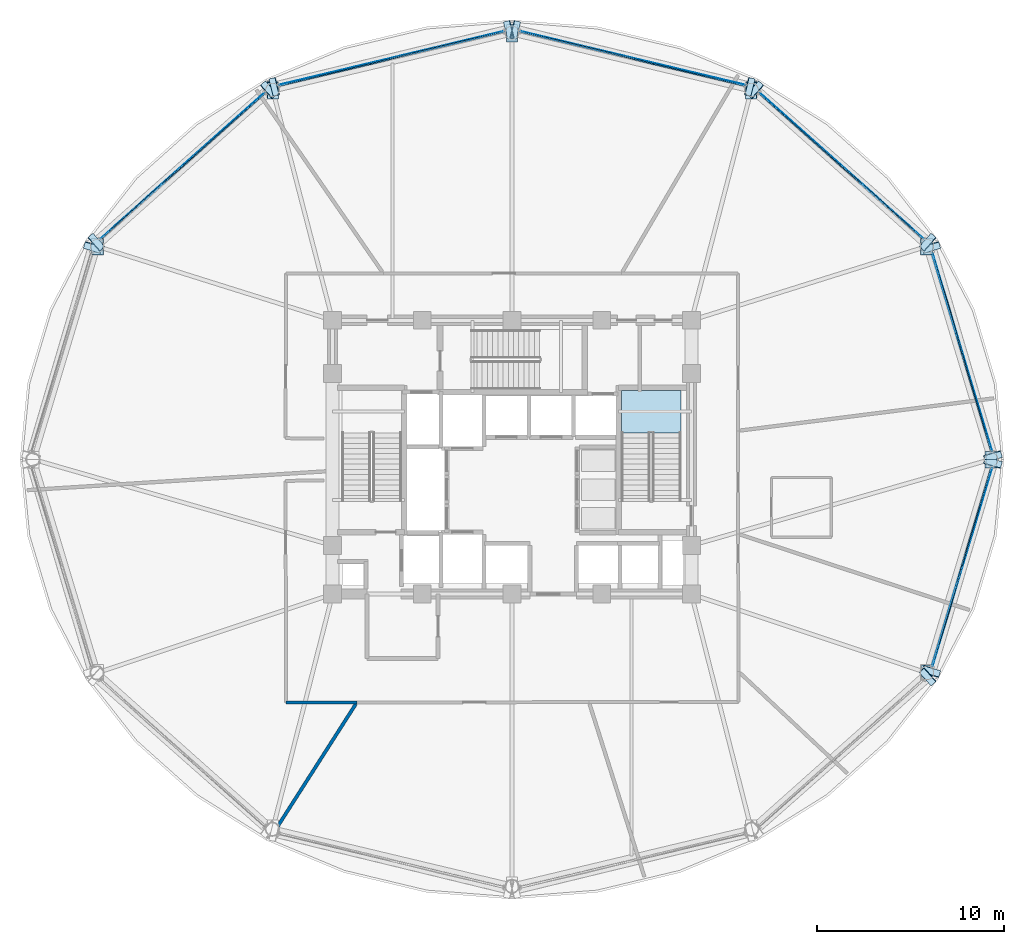
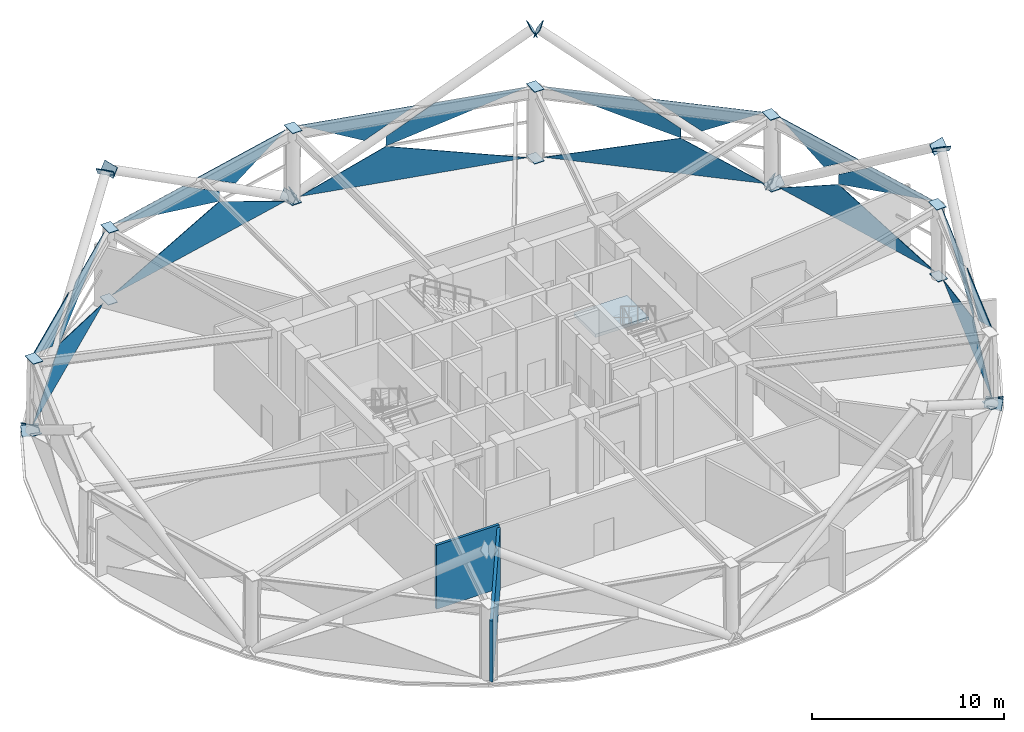
# One storey, part 9 of 17: 45 plates, 2 walls, 1 slab, 7 elements without a shape of their own.
"""IFC4 building model written with IfcOpenShell, lengths in metres."""

from ifc_helpers import new_model, si_unit, direction, frame, frame_2d, origin, place, context, subcontext, project, spatial, polyline, rectangle, outline, extrude, material, layer, layer_set, type_object, element, aggregate, save


model = new_model("IFC4")

# Units and contexts
model_context = context("Model", 3, precision=1e-05, world=origin(), true_north=direction((0.0, 1.0)))
body_context = subcontext(model_context, "Body", "Model", "MODEL_VIEW")
ifc_project = project(units=[si_unit("LENGTHUNIT", "METRE"), si_unit("AREAUNIT", "SQUARE_METRE"), si_unit("VOLUMEUNIT", "CUBIC_METRE"), si_unit("PLANEANGLEUNIT", "RADIAN"), si_unit("MASSUNIT", "GRAM", prefix="KILO")], contexts=[model_context])

# Site, building, storey
site_placement = place(None, origin())
site = spatial("IfcSite", under=ifc_project, at=site_placement, CompositionType="ELEMENT")
building_placement = place(site_placement, origin())
building = spatial("IfcBuilding", under=site, at=building_placement, Name="Vantalir Tower", CompositionType="ELEMENT")
storey_placement = place(building_placement, frame((0.0, 0.0, 96.14990234375)))
storey = spatial("IfcBuildingStorey", under=building, at=storey_placement, Name="L23", CompositionType="ELEMENT", Elevation=96.14990234375)

# Curtain wall, plates
ifc_material_1 = material(Name="Champagne-silver PVDF aluminium and double-silver Low-E glass", Category="aluminium")
ifc_layer_1 = layer(ifc_material_1, 0.22998046875)
ifc_layer_set_1 = layer_set([ifc_layer_1], Name="Champagne-silver PVDF aluminium and double-silver Low-E glass")
curtain_wall_type = type_object("IfcCurtainWallType", Name="CW-SKYLOBBY", PredefinedType="USERDEFINED", material=ifc_layer_set_1)
curtain_wall_1_placement = place(storey_placement, origin())
curtain_wall_1 = element("IfcCurtainWall", 1, at=curtain_wall_1_placement, inside=storey, type_object=curtain_wall_type, Name="L23 Quilted Pyramid-Diamond Curtain Wall S01", ObjectType="UNITISED CURTAIN WALL", PredefinedType="USERDEFINED")
ifc_material_2 = material(Name="High-clarity sky-lobby Low-E glass IGU", Category="glass")
ifc_layer_2 = layer(ifc_material_2, 0.035888671875)
ifc_layer_set_2 = layer_set([ifc_layer_2], Name="High-clarity sky-lobby Low-E glass IGU")
plate_type_1 = type_object("IfcPlateType", Name="CWP-IGU-LIGHT-36", PredefinedType="CURTAIN_PANEL", material=ifc_layer_set_2)
plate_1_placement = place(storey_placement, frame((57.208984375, 25.435546875, 0.046875), z_axis=(0.957661740651, 0.287884851578, 0.002510522934), x_axis=(-0.287885864149, 0.957664725931, 4.3928567e-05)))
plate_1 = element("IfcPlate", 2, at=plate_1_placement, type_object=plate_type_1, Name="CW-L23-S01 Pyramid Diamond Facet 1L", PredefinedType="CURTAIN_PANEL", context=body_context, shape_type="SweptSolid", body=[
    extrude(outline(polyline([(0.0, 0.0), (11.115346636864656, -8.673617379884035e-19), (6.887800117033162, 2.2499486620220996), (0.0, 0.0)])), origin(), (0.0, 0.0, -1.0), 0.035888671875),
])
plate_2_placement = place(storey_placement, frame((57.14697265625, 25.435546875, 4.5732421875), z_axis=(0.957385799286, 0.287833288641, 0.023757720345), x_axis=(-0.287913292285, 0.957656479671, -5.5412391e-05)))
plate_2 = element("IfcPlate", 3, at=plate_2_placement, type_object=plate_type_1, Name="CW-L23-S01 Pyramid Diamond Facet 2U", PredefinedType="CURTAIN_PANEL", context=body_context, shape_type="SweptSolid", body=[
    extrude(outline(polyline([(0.0, 0.0), (4.476108125524646, -1.0516761073109393e-17), (6.8698768286052845, -1.6363116512417968), (6.869808603841019, -2.2505025772051015), (0.0, 0.0)])), origin(), (0.0, 0.0, -1.0), 0.035888671875),
])
plate_3_placement = place(storey_placement, frame((55.606201171875, 30.699462890625, 4.573974609375), z_axis=(0.957402210983, 0.287782636654, 0.023709922919), x_axis=(-0.287863560783, 0.957671431324, 0.0)))
plate_3 = element("IfcPlate", 4, at=plate_3_placement, type_object=plate_type_1, Name="CW-L23-S01 Pyramid Diamond Facet 2U Infill Light", PredefinedType="CURTAIN_PANEL", context=body_context, shape_type="SweptSolid", body=[
    extrude(outline(polyline([(0.0, 0.0), (5.602629816584609, -6.938893903907228e-18), (2.456279529936582, -1.6791829889795271), (0.0, 0.0)])), origin(), (0.0, 0.0, -1.0), 0.035888671875),
])
aggregate(curtain_wall_1, [plate_1, plate_2, plate_3])

curtain_wall_2_placement = place(storey_placement, origin())
curtain_wall_2 = element("IfcCurtainWall", 5, at=curtain_wall_2_placement, inside=storey, type_object=curtain_wall_type, Name="L23 Quilted Pyramid-Diamond Curtain Wall S02", ObjectType="UNITISED CURTAIN WALL", PredefinedType="USERDEFINED")
plate_4_placement = place(storey_placement, frame((53.53857421875, 36.818603515625, 0.047119140625), z_axis=(0.665410744905, 0.746474914538, 0.001934561887), x_axis=(-0.746476284511, 0.665412019903, -2.0759095e-05)))
plate_4 = element("IfcPlate", 6, at=plate_4_placement, type_object=plate_type_1, Name="CW-L23-S02 Pyramid Diamond Facet 1L", PredefinedType="CURTAIN_PANEL", context=body_context, shape_type="SweptSolid", body=[
    extrude(outline(polyline([(0.0, 0.0), (11.760658598991373, 1.4094628242311558e-18), (4.474797251464707, 2.25034124483797), (0.0, 0.0)])), origin(), (0.0, 0.0, -1.0), 0.035888671875),
])
plate_5_placement = place(storey_placement, frame((48.276123046875, 41.434814453125, 4.5732421875), z_axis=(0.665273896174, 0.746252530753, 0.022755294216), x_axis=(-0.746445814345, 0.665446200866, 1.63302e-07)))
plate_5 = element("IfcPlate", 7, at=plate_5_placement, type_object=plate_type_1, Name="CW-L23-S02 Pyramid Diamond Facet 2U", PredefinedType="CURTAIN_PANEL", context=body_context, shape_type="SweptSolid", body=[
    extrude(outline(polyline([(0.0, 0.0), (4.752635306216678, -6.938893903907228e-18), (-2.525111511984754, -2.251070750420402), (-2.5251722627143955, -1.636897271270795), (0.0, 0.0)])), origin(), (0.0, 0.0, -1.0), 0.035888671875),
])
plate_6_placement = place(storey_placement, frame((53.51123046875, 36.821533203125, 4.573974609375), z_axis=(0.665259052952, 0.746265723922, 0.02275657629), x_axis=(-0.746459030247, 0.665431375998, 0.0)))
plate_6 = element("IfcPlate", 8, at=plate_6_placement, type_object=plate_type_1, Name="CW-L23-S02 Pyramid Diamond Facet 2U Infill Light", PredefinedType="CURTAIN_PANEL", context=body_context, shape_type="SweptSolid", body=[
    extrude(outline(polyline([(0.0, 0.0), (5.929688505190235, 1.3877787807814457e-17), (3.331305138909781, -1.6840298538034233), (0.0, 0.0)])), origin(), (0.0, 0.0, -1.0), 0.035888671875),
])
aggregate(curtain_wall_2, [plate_4, plate_5, plate_6])

curtain_wall_3_placement = place(storey_placement, origin())
curtain_wall_3 = element("IfcCurtainWall", 9, at=curtain_wall_3_placement, inside=storey, type_object=curtain_wall_type, Name="L23 Quilted Pyramid-Diamond Curtain Wall S03", ObjectType="UNITISED CURTAIN WALL", PredefinedType="USERDEFINED")
plate_7_placement = place(storey_placement, frame((43.9775390625, 45.052734375, 0.046875), z_axis=(0.232308538563, 0.972641461128, 0.001153691634), x_axis=(-0.972642113523, 0.23230867098, 1.973065e-05)))
plate_7 = element("IfcPlate", 10, at=plate_7_placement, type_object=plate_type_1, Name="CW-L23-S03 Pyramid Diamond Facet 1L", PredefinedType="CURTAIN_PANEL", context=body_context, shape_type="SweptSolid", body=[
    extrude(outline(polyline([(0.0, 0.0), (12.373673813494106, 3.7947076036992655e-19), (7.666955372737467, 2.2505826460696152), (0.0, 0.0)])), origin(), (0.0, 0.0, -1.0), 0.035888671875),
])
plate_8_placement = place(storey_placement, frame((43.946533203125, 45.005615234375, 4.573486328125), z_axis=(0.232247229605, 0.972401212076, 0.022295898588), x_axis=(-0.972642741477, 0.232306037506, -4.8903136e-05)))
plate_8 = element("IfcPlate", 11, at=plate_8_placement, type_object=plate_type_1, Name="CW-L23-S03 Pyramid Diamond Facet 2U", PredefinedType="CURTAIN_PANEL", context=body_context, shape_type="SweptSolid", body=[
    extrude(outline(polyline([(0.0, 0.0), (5.0076076684749955, 2.3852447794681098e-18), (7.647690227686026, -1.6335770096285902), (7.647752752966947, -2.2509187159464625), (0.0, 0.0)])), origin(), (0.0, 0.0, -1.0), 0.035888671875),
])
plate_9_placement = place(storey_placement, frame((38.03173828125, 46.459228515625, 4.57421875), z_axis=(0.232244666054, 0.972401391757, 0.022314757428), x_axis=(-0.97264338182, 0.232303358298, -3.9055709e-05)))
plate_9 = element("IfcPlate", 12, at=plate_9_placement, type_object=plate_type_1, Name="CW-L23-S03 Pyramid Diamond Facet 2U Infill Light", PredefinedType="CURTAIN_PANEL", context=body_context, shape_type="SweptSolid", body=[
    extrude(outline(polyline([(0.0, 0.0), (6.251086717542948, -4.797594613248357e-18), (2.7292343267499604, -1.6890346906544993), (0.0, 0.0)])), origin(), (0.0, 0.0, -1.0), 0.035888671875),
])
aggregate(curtain_wall_3, [plate_7, plate_8, plate_9])

curtain_wall_4_placement = place(storey_placement, origin())
curtain_wall_4 = element("IfcCurtainWall", 13, at=curtain_wall_4_placement, inside=storey, type_object=curtain_wall_type, Name="L23 Quilted Pyramid-Diamond Curtain Wall S04", ObjectType="UNITISED CURTAIN WALL", PredefinedType="USERDEFINED")
plate_10_placement = place(storey_placement, frame((31.0576171875, 47.92724609375, 0.047119140625), z_axis=(-0.232308538563, 0.972641461128, 0.001153691634), x_axis=(-0.972642113523, -0.23230867098, -1.973065e-05)))
plate_10 = element("IfcPlate", 14, at=plate_10_placement, type_object=plate_type_1, Name="CW-L23-S04 Pyramid Diamond Facet 1L", PredefinedType="CURTAIN_PANEL", context=body_context, shape_type="SweptSolid", body=[
    extrude(outline(polyline([(0.0, 0.0), (12.373673813494106, -3.7947076036992655e-19), (4.7067184407566405, 2.2505826460696152), (0.0, 0.0)])), origin(), (0.0, 0.0, -1.0), 0.035888671875),
])
plate_11_placement = place(storey_placement, frame((23.924072265625, 46.1689453125, 4.5732421875), z_axis=(-0.232247229605, 0.972401212076, 0.022295898588), x_axis=(-0.972642741477, -0.232306037506, 4.8903136e-05)))
plate_11 = element("IfcPlate", 15, at=plate_11_placement, type_object=plate_type_1, Name="CW-L23-S04 Pyramid Diamond Facet 2U", PredefinedType="CURTAIN_PANEL", context=body_context, shape_type="SweptSolid", body=[
    extrude(outline(polyline([(0.0, 0.0), (5.0076076684749955, -2.3852447794681098e-18), (-2.6401450844919516, -2.2509187159464625), (-2.640082559211031, -1.6335770096285902), (0.0, 0.0)])), origin(), (0.0, 0.0, -1.0), 0.035888671875),
])
plate_12_placement = place(storey_placement, frame((31.04833984375, 47.911376953125, 4.573974609375), z_axis=(-0.232244666054, 0.972401391757, 0.022314757428), x_axis=(-0.97264338182, -0.232303358298, 3.9055709e-05)))
plate_12 = element("IfcPlate", 16, at=plate_12_placement, type_object=plate_type_1, Name="CW-L23-S04 Pyramid Diamond Facet 2U Infill Light", PredefinedType="CURTAIN_PANEL", context=body_context, shape_type="SweptSolid", body=[
    extrude(outline(polyline([(0.0, 0.0), (6.251086717542948, 4.797594613248357e-18), (3.521852390792987, -1.6890346906544993), (0.0, 0.0)])), origin(), (0.0, 0.0, -1.0), 0.035888671875),
])
aggregate(curtain_wall_4, [plate_10, plate_11, plate_12])

curtain_wall_5_placement = place(storey_placement, origin())
curtain_wall_5 = element("IfcCurtainWall", 17, at=curtain_wall_5_placement, inside=storey, type_object=curtain_wall_type, Name="L23 Quilted Pyramid-Diamond Curtain Wall S05", ObjectType="UNITISED CURTAIN WALL", PredefinedType="USERDEFINED")
plate_13_placement = place(storey_placement, frame((18.240478515625, 44.644287109375, 0.046875), z_axis=(-0.665410744905, 0.746474914538, 0.001934561887), x_axis=(-0.746476284511, -0.665412019903, 2.0759095e-05)))
plate_13 = element("IfcPlate", 18, at=plate_13_placement, type_object=plate_type_1, Name="CW-L23-S05 Pyramid Diamond Facet 1L", PredefinedType="CURTAIN_PANEL", context=body_context, shape_type="SweptSolid", body=[
    extrude(outline(polyline([(0.0, 0.0), (11.760658598991373, -1.4094628242311558e-18), (7.285861347526667, 2.2503412448379696), (0.0, 0.0)])), origin(), (0.0, 0.0, -1.0), 0.035888671875),
])
plate_14_placement = place(storey_placement, frame((18.271484375, 44.597412109375, 4.5732421875), z_axis=(-0.665273896174, 0.746252530753, 0.022755294216), x_axis=(-0.746445814345, -0.665446200866, -1.63302e-07)))
plate_14 = element("IfcPlate", 19, at=plate_14_placement, type_object=plate_type_1, Name="CW-L23-S05 Pyramid Diamond Facet 2U", PredefinedType="CURTAIN_PANEL", context=body_context, shape_type="SweptSolid", body=[
    extrude(outline(polyline([(0.0, 0.0), (4.752635306216678, 6.938893903907228e-18), (7.277807568931074, -1.636897271270795), (7.277746818201432, -2.251070750420402), (0.0, 0.0)])), origin(), (0.0, 0.0, -1.0), 0.035888671875),
])
plate_15_placement = place(storey_placement, frame((13.9150390625, 40.767333984375, 4.573974609375), z_axis=(-0.665259052952, 0.746265723922, 0.02275657629), x_axis=(-0.746459030247, -0.665431375998, 0.0)))
plate_15 = element("IfcPlate", 20, at=plate_15_placement, type_object=plate_type_1, Name="CW-L23-S05 Pyramid Diamond Facet 2U Infill Light", PredefinedType="CURTAIN_PANEL", context=body_context, shape_type="SweptSolid", body=[
    extrude(outline(polyline([(0.0, 0.0), (5.929688505190235, -1.3877787807814457e-17), (2.5983833662804545, -1.6840298538034233), (0.0, 0.0)])), origin(), (0.0, 0.0, -1.0), 0.035888671875),
])
aggregate(curtain_wall_5, [plate_13, plate_14, plate_15])

curtain_wall_6_placement = place(storey_placement, origin())
curtain_wall_6 = element("IfcCurtainWall", 21, at=curtain_wall_6_placement, inside=storey, type_object=curtain_wall_type, Name="L23 Quilted Pyramid-Diamond Curtain Wall S12", ObjectType="UNITISED CURTAIN WALL", PredefinedType="USERDEFINED")
plate_16_placement = place(storey_placement, frame((54.009033203125, 13.918701171875, 0.04736328125), z_axis=(0.957668909671, -0.287860595933, 0.002556708585), x_axis=(0.287861644047, 0.95767200646, -4.3924871e-05)))
plate_16 = element("IfcPlate", 22, at=plate_16_placement, type_object=plate_type_1, Name="CW-L23-S12 Pyramid Diamond Facet 1L", PredefinedType="CURTAIN_PANEL", context=body_context, shape_type="SweptSolid", body=[
    extrude(outline(polyline([(0.0, 0.0), (11.116281859878669, 7.047314121155779e-19), (4.228248089577002, 2.249948940497448), (0.0, 0.0)])), origin(), (0.0, 0.0, -1.0), 0.035888671875),
])
plate_17_placement = place(storey_placement, frame((55.858154296875, 20.27734375, 4.572998046875), z_axis=(0.957377717041, -0.28784996904, 0.023881001569), x_axis=(0.287930818268, 0.957651210425, 5.5349984e-05)))
plate_17 = element("IfcPlate", 23, at=plate_17_placement, type_object=plate_type_1, Name="CW-L23-S12 Pyramid Diamond Facet 2U", PredefinedType="CURTAIN_PANEL", context=body_context, shape_type="SweptSolid", body=[
    extrude(outline(polyline([(0.0, 0.0), (4.476646020518688, 2.4936649967166602e-18), (-2.3936290634041386, -2.2505093428948277), (-2.3934637814490656, -1.636072664647758), (0.0, 0.0)])), origin(), (0.0, 0.0, -1.0), 0.035888671875),
])
plate_18_placement = place(storey_placement, frame((53.993408203125, 13.93505859375, 4.573974609375), z_axis=(0.957394077923, -0.287806383561, 0.023750055583), x_axis=(0.287887588691, 0.957664208519, 0.0)))
plate_18 = element("IfcPlate", 24, at=plate_18_placement, type_object=plate_type_1, Name="CW-L23-S12 Pyramid Diamond Facet 2U Infill Light", PredefinedType="CURTAIN_PANEL", context=body_context, shape_type="SweptSolid", body=[
    extrude(outline(polyline([(0.0, 0.0), (5.60216220534434, 0.0), (3.145883675097482, -1.6789403795375595), (0.0, 0.0)])), origin(), (0.0, 0.0, -1.0), 0.035888671875),
])
aggregate(curtain_wall_6, [plate_16, plate_17, plate_18])

# Plates
ifc_material_3 = material(Name="Steel S460", Category="steel")
ifc_layer_3 = layer(ifc_material_3, 0.0400390625)
ifc_layer_set_3 = layer_set([ifc_layer_3], Name="Steel S460")
plate_type_2 = type_object("IfcPlateType", Name="PLT-KN-Z1", PredefinedType="USERDEFINED", material=ifc_layer_set_3)
plate_19_placement = place(storey_placement, frame((53.9228515625, 37.1103515625, -0.055908203125), z_axis=(-0.628761905969, 0.55555728763, 0.544072206388), x_axis=(-0.662157069895, -0.749365073149, -4.3953421e-05)))
element("IfcPlate", 25, at=plate_19_placement, inside=storey, type_object=plate_type_2, Name="Node Cap Plate MEM-DG-L23-R04L Start", ObjectType="FLANGE_PLATE", PredefinedType="USERDEFINED", context=body_context, shape_type="SweptSolid", body=[
    extrude(outline(polyline([(0.0, 0.0), (0.9500799127009245, -5.551115123125783e-17), (0.9499775330085163, 0.6201211151389158), (5.927974848422669e-05, 0.6200215828415294), (0.0, 0.0)])), origin(), (0.0, 0.0, -1.0), 0.0400390625),
])
plate_20_placement = place(storey_placement, frame((44.6953125, 45.26318359375, 7.927734375), z_axis=(-0.628865880657, 0.555541326671, 0.54396832491), x_axis=(-0.662063543191, -0.7494477065, 0.0)))
element("IfcPlate", 26, at=plate_20_placement, inside=storey, type_object=plate_type_2, Name="Node Cap Plate MEM-DG-L23-R04L End", ObjectType="FLANGE_PLATE", PredefinedType="USERDEFINED", context=body_context, shape_type="SweptSolid", body=[
    extrude(outline(polyline([(0.0, 0.0), (0.9499182615753402, 0.0), (0.9500425008930048, 0.6200215779785763), (0.00012423931766461505, 0.6200215779785763), (0.0, 0.0)])), origin(), (0.0, 0.0, -1.0), 0.0400390625),
])
plate_21_placement = place(storey_placement, frame((53.525390625, 36.033203125, -0.047119140625), z_axis=(0.233708693658, -0.791724003982, 0.564405304748), x_axis=(0.959072325891, 0.283161205282, 7.4384152e-05)))
element("IfcPlate", 27, at=plate_21_placement, inside=storey, type_object=plate_type_2, Name="Node Cap Plate MEM-DG-L23-R04R Start", ObjectType="FLANGE_PLATE", PredefinedType="USERDEFINED", context=body_context, shape_type="SweptSolid", body=[
    extrude(outline(polyline([(0.0, 0.0), (0.9497906484669458, -2.7755575615628914e-17), (0.9499847679135219, 0.6198054984991006), (2.9102083145751338e-05, 0.6199766812877299), (0.0, 0.0)])), origin(), (0.0, 0.0, -1.0), 0.0400390625),
])
plate_22_placement = place(storey_placement, frame((56.828125, 24.846435546875, 7.927978515625), z_axis=(0.233780711725, -0.791714715206, 0.564388508521), x_axis=(0.959062134253, 0.283195732033, 0.0)))
element("IfcPlate", 28, at=plate_22_placement, inside=storey, type_object=plate_type_2, Name="Node Cap Plate MEM-DG-L23-R04R End", ObjectType="FLANGE_PLATE", PredefinedType="USERDEFINED", context=body_context, shape_type="SweptSolid", body=[
    extrude(outline(polyline([(0.0, 0.0), (0.9500248002278538, 0.0), (0.9500284391532758, 0.620178219642171), (3.6389254218841277e-06, 0.6201782196421711), (0.0, 0.0)])), origin(), (0.0, 0.0, -1.0), 0.0400390625),
])
plate_23_placement = place(storey_placement, frame((31.040771484375, 48.41015625, -0.0634765625), z_axis=(-0.826206904437, -0.200924953354, 0.526318643201), x_axis=(0.236336001749, -0.97167139052, 5.5874131e-05)))
element("IfcPlate", 29, at=plate_23_placement, inside=storey, type_object=plate_type_2, Name="Node Cap Plate MEM-DG-L23-R10L Start", ObjectType="FLANGE_PLATE", PredefinedType="USERDEFINED", context=body_context, shape_type="SweptSolid", body=[
    extrude(outline(polyline([(0.0, 0.0), (0.9500289670814939, 2.7755575615628914e-17), (0.9499890752638844, 0.6198451514571769), (1.7807401567529792e-05, 0.6199700043725549), (0.0, 0.0)])), origin(), (0.0, 0.0, -1.0), 0.0400390625),
])
plate_24_placement = place(storey_placement, frame((18.49560546875, 45.36083984375, 7.927490234375), z_axis=(-0.826295211155, -0.200837159231, 0.526213511319), x_axis=(0.236181070695, -0.971709062346, 0.0)))
element("IfcPlate", 30, at=plate_24_placement, inside=storey, type_object=plate_type_2, Name="Node Cap Plate MEM-DG-L23-R10L End", ObjectType="FLANGE_PLATE", PredefinedType="USERDEFINED", context=body_context, shape_type="SweptSolid", body=[
    extrude(outline(polyline([(0.0, 0.0), (0.9499712814206474, -1.3877787807814457e-17), (0.9501448302959379, 0.6201472475318481), (0.0001735488752904052, 0.6201472475318481), (0.0, 0.0)])), origin(), (0.0, 0.0, -1.0), 0.0400390625),
])
plate_25_placement = place(storey_placement, frame((31.734619140625, 47.487060546875, -0.0634765625), z_axis=(0.826206904437, -0.200924953354, 0.526318643201), x_axis=(0.236336001749, 0.97167139052, -5.5874131e-05)))
element("IfcPlate", 31, at=plate_25_placement, inside=storey, type_object=plate_type_2, Name="Node Cap Plate MEM-DG-L23-R10R Start", ObjectType="FLANGE_PLATE", PredefinedType="USERDEFINED", context=body_context, shape_type="SweptSolid", body=[
    extrude(outline(polyline([(0.0, 0.0), (0.9500289670814939, -2.7755575615628914e-17), (0.9500111596799263, 0.6199700043725549), (3.9891817609488354e-05, 0.6198451514571768), (0.0, 0.0)])), origin(), (0.0, 0.0, -1.0), 0.0400390625),
])
plate_26_placement = place(storey_placement, frame((44.280029296875, 44.437744140625, 7.927490234375), z_axis=(0.826295211155, -0.200837159231, 0.526213511319), x_axis=(0.236181070695, 0.971709062346, 0.0)))
element("IfcPlate", 32, at=plate_26_placement, inside=storey, type_object=plate_type_2, Name="Node Cap Plate MEM-DG-L23-R10R End", ObjectType="FLANGE_PLATE", PredefinedType="USERDEFINED", context=body_context, shape_type="SweptSolid", body=[
    extrude(outline(polyline([(0.0, 0.0), (0.9499712814206474, 1.3877787807814457e-17), (0.949797732545357, 0.6201472475318481), (-0.0001735488752904052, 0.6201472475318481), (0.0, 0.0)])), origin(), (0.0, 0.0, -1.0), 0.0400390625),
])
plate_27_placement = place(storey_placement, frame((8.563720703125, 36.30224609375, -0.047119140625), z_axis=(-0.233708693658, -0.791724003982, 0.564405304748), x_axis=(0.959072325891, -0.283161205282, -7.4384152e-05)))
element("IfcPlate", 33, at=plate_27_placement, inside=storey, type_object=plate_type_2, Name="Node Cap Plate MEM-DG-L23-R16L Start", ObjectType="FLANGE_PLATE", PredefinedType="USERDEFINED", context=body_context, shape_type="SweptSolid", body=[
    extrude(outline(polyline([(0.0, 0.0), (0.9497906484669458, 2.7755575615628914e-17), (0.9497615463838002, 0.6199766812877299), (-0.00019411944657588795, 0.6198054984991006), (0.0, 0.0)])), origin(), (0.0, 0.0, -1.0), 0.0400390625),
])
plate_28_placement = place(storey_placement, frame((9.706298828125, 36.3984375, -0.055908203125), z_axis=(0.628761905969, 0.55555728763, 0.544072206388), x_axis=(-0.662157069895, 0.749365073149, 4.3953421e-05)))
element("IfcPlate", 34, at=plate_28_placement, inside=storey, type_object=plate_type_2, Name="Node Cap Plate MEM-DG-L23-R16R Start", ObjectType="FLANGE_PLATE", PredefinedType="USERDEFINED", context=body_context, shape_type="SweptSolid", body=[
    extrude(outline(polyline([(0.0, 0.0), (0.9500799127009245, 5.551115123125783e-17), (0.9500206329524402, 0.6200215828415294), (0.0001023796924081599, 0.6201211151389158), (0.0, 0.0)])), origin(), (0.0, 0.0, -1.0), 0.0400390625),
])
plate_29_placement = place(storey_placement, frame((18.93359375, 44.55126953125, 7.927734375), z_axis=(0.628865880657, 0.555541326671, 0.54396832491), x_axis=(-0.662063543191, 0.7494477065, 0.0)))
element("IfcPlate", 35, at=plate_29_placement, inside=storey, type_object=plate_type_2, Name="Node Cap Plate MEM-DG-L23-R16R End", ObjectType="FLANGE_PLATE", PredefinedType="USERDEFINED", context=body_context, shape_type="SweptSolid", body=[
    extrude(outline(polyline([(0.0, 0.0), (0.9499182615753402, 0.0), (0.9497940222576757, 0.6200215779785763), (-0.00012423931766461505, 0.6200215779785763), (0.0, 0.0)])), origin(), (0.0, 0.0, -1.0), 0.0400390625),
])
plate_30_placement = place(storey_placement, frame((54.436279296875, 13.69677734375, -0.047119140625), z_axis=(0.233687243156, 0.791757413944, 0.564367318199), x_axis=(-0.959085913216, 0.283115184639, -5.7415495e-05)))
element("IfcPlate", 36, at=plate_30_placement, inside=storey, type_object=plate_type_2, Name="Node Cap Plate MEM-DG-L23-R34L Start", ObjectType="FLANGE_PLATE", PredefinedType="USERDEFINED", context=body_context, shape_type="SweptSolid", body=[
    extrude(outline(polyline([(0.0, 0.0), (0.9500247953115416, -2.7755575615628914e-17), (0.9497870201886431, 0.6199376554227632), (-0.0001686552047735426, 0.619805511055699), (0.0, 0.0)])), origin(), (0.0, 0.0, -1.0), 0.0400390625),
])
plate_31_placement = place(storey_placement, frame((57.7392578125, 24.884521484375, 7.927978515625), z_axis=(0.233780711725, 0.791714715206, 0.564388508521), x_axis=(-0.959062134253, 0.283195732033, 0.0)))
element("IfcPlate", 37, at=plate_31_placement, inside=storey, type_object=plate_type_2, Name="Node Cap Plate MEM-DG-L23-R34L End", ObjectType="FLANGE_PLATE", PredefinedType="USERDEFINED", context=body_context, shape_type="SweptSolid", body=[
    extrude(outline(polyline([(0.0, 0.0), (0.9500248002278538, 0.0), (0.950021161302432, 0.620178219642171), (-3.6389254218841277e-06, 0.6201782196421711), (0.0, 0.0)])), origin(), (0.0, 0.0, -1.0), 0.0400390625),
])
plate_32_placement = place(storey_placement, frame((53.293701171875, 13.6005859375, -0.055908203125), z_axis=(-0.628764927611, -0.555452144556, 0.54417605691), x_axis=(0.662063543191, -0.7494477065, 0.0)))
element("IfcPlate", 38, at=plate_32_placement, inside=storey, type_object=plate_type_2, Name="Node Cap Plate MEM-DG-L23-R34R Start", ObjectType="FLANGE_PLATE", PredefinedType="USERDEFINED", context=body_context, shape_type="SweptSolid", body=[
    extrude(outline(polyline([(0.0, 0.0), (0.9499182615753402, -5.551115123125783e-17), (0.9499556588648999, 0.6201211272124378), (3.7397289559648605e-05, 0.6201211272124378), (0.0, 0.0)])), origin(), (0.0, 0.0, -1.0), 0.0400390625),
])
ifc_layer_4 = layer(ifc_material_3, 0.035888671875)
ifc_layer_set_4 = layer_set([ifc_layer_4], Name="Steel S460")
plate_type_3 = type_object("IfcPlateType", Name="PLT-KN-Z2", PredefinedType="USERDEFINED", material=ifc_layer_set_4)
plate_33_placement = place(storey_placement, frame((56.797607421875, 25.43994140625, 4.644287109375), z_axis=(-0.01346679217, 0.0, 0.999909318643), x_axis=(0.0, -1.0, 0.0)))
element("IfcPlate", 39, at=plate_33_placement, inside=storey, type_object=plate_type_3, Name="L23 Ring Column Top Cap RC01", ObjectType="FLANGE_PLATE", PredefinedType="USERDEFINED", context=body_context, shape_type="SweptSolid", body=[
    extrude(outline(polyline([(0.0, 0.0), (0.8798828125, 0.0), (0.8798828125, 0.5801307320421542), (0.0, 0.5801307320421542), (0.0, 0.0)])), origin(), (0.0, 0.0, -1.0), 0.035888671875),
])
plate_34_placement = place(storey_placement, frame((56.859375, 25.43994140625, 0.04931640625), z_axis=(-0.013051519825, 0.0, 0.999914825288), x_axis=(0.0, -1.0, 0.0)))
element("IfcPlate", 40, at=plate_34_placement, inside=storey, type_object=plate_type_3, Name="L23 Ring Column Base Cap RC01", ObjectType="FLANGE_PLATE", PredefinedType="USERDEFINED", context=body_context, shape_type="SweptSolid", body=[
    extrude(outline(polyline([(0.0, 0.0), (0.8798828125, 0.0), (0.8798828125, 0.5798833757746612), (0.0, 0.5798833757746612), (0.0, 0.0)])), origin(), (0.0, 0.0, -1.0), 0.035888671875),
])
for number, where, z_axis, x_axis, name in (
    (41, (53.36962890625, 36.833740234375, 4.647216796875), (-0.011783493576, -0.005826355591, 0.999913597697), (0.0, -0.999983024289, -0.00582676013), "L23 Ring Column Top Cap RC02"),
    (42, (53.42333984375, 36.860595703125, 0.05224609375), (-0.011783493576, -0.005826355591, 0.999913597697), (0.0, -0.999983024289, -0.00582676013), "L23 Ring Column Base Cap RC02"),
):
    element("IfcPlate", number, at=place(storey_placement, frame(where, z_axis=z_axis, x_axis=x_axis)), inside=storey, type_object=plate_type_3, Name=name, ObjectType="FLANGE_PLATE", PredefinedType="USERDEFINED", context=body_context, shape_type="SweptSolid", body=[
        extrude(outline(polyline([(0.0, 0.0), (0.8798977493898119, 1.3552527156068805e-20), (0.8798579180217329, 0.5801184013272478), (-3.98313680791141e-05, 0.5801184013272478), (0.0, 0.0)])), origin(), (0.0, 0.0, -1.0), 0.035888671875),
    ])
plate_35_placement = place(storey_placement, frame((44.00390625, 45.1748046875, 4.650634765625), z_axis=(-0.00673849514, -0.010264172791, 0.999924616879), x_axis=(9.592e-09, -0.999947319599, -0.010264405768)))
element("IfcPlate", 43, at=plate_35_placement, inside=storey, type_object=plate_type_3, Name="L23 Ring Column Top Cap RC03", ObjectType="FLANGE_PLATE", PredefinedType="USERDEFINED", context=body_context, shape_type="SweptSolid", body=[
    extrude(outline(polyline([(0.0, 0.0), (0.8801733081468806, -6.776263578034403e-21), (0.880133218373866, 0.5798471407332197), (0.000204037990559465, 0.5798471576172668), (0.0, 0.0)])), origin(), (0.0, 0.0, -1.0), 0.035888671875),
])
plate_36_placement = place(storey_placement, frame((44.03466796875, 45.222412109375, 0.0556640625), z_axis=(-0.006733499232, -0.010265596984, 0.999924635913), x_axis=(0.0, -0.999947304982, -0.010265829713)))
element("IfcPlate", 44, at=plate_36_placement, inside=storey, type_object=plate_type_3, Name="L23 Ring Column Base Cap RC03", ObjectType="FLANGE_PLATE", PredefinedType="USERDEFINED", context=body_context, shape_type="SweptSolid", body=[
    extrude(outline(polyline([(0.0, 0.0), (0.8799291803841988, -1.3552527156068805e-20), (0.8798890794868838, 0.5800912758217419), (-4.010089731496862e-05, 0.5800912758217419), (0.0, 0.0)])), origin(), (0.0, 0.0, -1.0), 0.035888671875),
])
for number, where, z_axis, x_axis, name in (
    (45, (31.2099609375, 48.2275390625, 4.6533203125), (0.0, -0.011930338438, 0.99992883098), (0.0, -0.99992883098, -0.011930338438), "L23 Ring Column Top Cap RC04"),
    (46, (31.2099609375, 48.2822265625, 0.058349609375), (0.0, -0.011930338438, 0.99992883098), (0.0, -0.99992883098, -0.011930338438), "L23 Ring Column Base Cap RC04"),
):
    element("IfcPlate", number, at=place(storey_placement, frame(where, z_axis=z_axis, x_axis=x_axis)), inside=storey, type_object=plate_type_3, Name=name, ObjectType="FLANGE_PLATE", PredefinedType="USERDEFINED", context=body_context, shape_type="SweptSolid", body=[
        extrude(outline(polyline([(0.0, 0.0), (0.8799454373545555, 0.0), (0.8799454373545555, 0.580078125), (0.0, 0.580078125), (0.0, 0.0)])), origin(), (0.0, 0.0, -1.0), 0.035888671875),
    ])
plate_37_placement = place(storey_placement, frame((18.416259765625, 45.174560546875, 4.654541015625), z_axis=(0.00673849514, -0.010264172791, 0.999924616879), x_axis=(9.595e-09, -0.999947319598, -0.010264405898)))
element("IfcPlate", 47, at=plate_37_placement, inside=storey, type_object=plate_type_3, Name="L23 Ring Column Top Cap RC05", ObjectType="FLANGE_PLATE", PredefinedType="USERDEFINED", context=body_context, shape_type="SweptSolid", body=[
    extrude(outline(polyline([(0.0, 0.0), (0.8799291803833067, 2.0328790734103208e-20), (0.8799692812824058, 0.5798471407324505), (-0.0002040268644746585, 0.5798471576211818), (0.0, 0.0)])), origin(), (0.0, 0.0, -1.0), 0.035888671875),
])
plate_38_placement = place(storey_placement, frame((18.38525390625, 45.222412109375, 0.0595703125), z_axis=(0.006733499232, -0.010265596984, 0.999924635913), x_axis=(0.0, -0.999947304982, -0.010265829713)))
element("IfcPlate", 48, at=plate_38_placement, inside=storey, type_object=plate_type_3, Name="L23 Ring Column Base Cap RC05", ObjectType="FLANGE_PLATE", PredefinedType="USERDEFINED", context=body_context, shape_type="SweptSolid", body=[
    extrude(outline(polyline([(0.0, 0.0), (0.8799291803841988, 1.3552527156068805e-20), (0.8799692812815137, 0.5800912758217419), (4.010089731496862e-05, 0.5800912758217419), (0.0, 0.0)])), origin(), (0.0, 0.0, -1.0), 0.035888671875),
])
for number, where, z_axis, x_axis, name in (
    (49, (9.05029296875, 36.833740234375, 4.654052734375), (0.011783493576, -0.005826355591, 0.999913597697), (0.0, -0.999983024289, -0.00582676013), "L23 Ring Column Top Cap RC06"),
    (50, (8.99658203125, 36.860595703125, 0.05908203125), (0.011783493576, -0.005826355591, 0.999913597697), (0.0, -0.999983024289, -0.00582676013), "L23 Ring Column Base Cap RC06"),
):
    element("IfcPlate", number, at=place(storey_placement, frame(where, z_axis=z_axis, x_axis=x_axis)), inside=storey, type_object=plate_type_3, Name=name, ObjectType="FLANGE_PLATE", PredefinedType="USERDEFINED", context=body_context, shape_type="SweptSolid", body=[
        extrude(outline(polyline([(0.0, 0.0), (0.8798977493898119, -1.3552527156068805e-20), (0.8799375807578911, 0.5801184013272478), (3.98313680791141e-05, 0.5801184013272478), (0.0, 0.0)])), origin(), (0.0, 0.0, -1.0), 0.035888671875),
    ])
plate_39_placement = place(storey_placement, frame((53.42333984375, 14.018310546875, 0.047119140625), z_axis=(-0.011362691055, 0.006103820722, 0.999916812852), x_axis=(0.0, -0.999981369107, 0.006104214795)))
element("IfcPlate", 51, at=plate_39_placement, inside=storey, type_object=plate_type_3, Name="L23 Ring Column Base Cap RC12", ObjectType="FLANGE_PLATE", PredefinedType="USERDEFINED", context=body_context, shape_type="SweptSolid", body=[
    extrude(outline(polyline([(0.0, 0.0), (0.8798992058076774, -1.3552527156068805e-20), (0.879939443551686, 0.5801155757868262), (4.0237744008511654e-05, 0.5801155757868262), (0.0, 0.0)])), origin(), (0.0, 0.0, -1.0), 0.035888671875),
])

# Stair, slab
ifc_material_4 = material(Name="Concrete C40/50", Category="concrete")
stair_type = type_object("IfcStairType", Name="STR-CORE-1450", PredefinedType="HALF_TURN_STAIR", material=ifc_material_4)
stair_placement = place(storey_placement, origin())
stair = element("IfcStair", 52, at=stair_placement, inside=storey, type_object=stair_type, Name="L23 Core Exit Stair 2", PredefinedType="HALF_TURN_STAIR")
ifc_layer_5 = layer(ifc_material_4, 0.199951171875)
ifc_layer_set_5 = layer_set([ifc_layer_5], Name="Concrete C40/50")
slab_type = type_object("IfcSlabType", Name="SL-LAND-200", PredefinedType="LANDING", material=ifc_layer_set_5)
slab_placement = place(storey_placement, frame((0.0, 0.0, 2.2001953125)))
slab = element("IfcSlab", 53, at=slab_placement, type_object=slab_type, Name="ST2 landing 1", PredefinedType="LANDING", context=body_context, shape_type="SweptSolid", body=[
    extrude(outline(polyline([(40.550048828125, 26.429931640625), (40.550048828125, 28.699951171875), (37.35009765625, 28.699951171875), (37.35009765625, 26.429931640625), (40.550048828125, 26.429931640625)])), origin(), (0.0, 0.0, 1.0), 0.199951171875),
])
aggregate(stair, [slab])

# Walls
ifc_material_5 = material(Name="Fire-rated hotel corridor acoustic partition", Category="gypsum")
ifc_layer_6 = layer(ifc_material_5, 0.159912109375)
ifc_layer_set_6 = layer_set([ifc_layer_6], Name="Fire-rated hotel corridor acoustic partition")
wall_type_1 = type_object("IfcWallType", Name="WL-CORR-160", PredefinedType="PARTITIONING", material=ifc_layer_set_6)
wall_1_placement = place(storey_placement, frame((23.200927734375, 12.007080078125, 0.0), z_axis=(0.0, 0.0, 1.0), x_axis=(-0.999999832379, -0.000579001447, 0.0)))
element("IfcWall", 54, at=wall_1_placement, inside=storey, type_object=wall_type_1, Name="L23 Corridor Partition 12", PredefinedType="PARTITIONING", context=body_context, shape_type="SweptSolid", body=[
    extrude(rectangle(XDim=3.794921875, YDim=0.159912109375, at=frame_2d((1.8974609375, 0.0))), origin(), (0.0, 0.0, 1.0), 4.05615234375),
])
ifc_material_6 = material(Name="Twin-stud acoustic fire-rated gypsum partition", Category="gypsum")
ifc_layer_7 = layer(ifc_material_6, 0.179931640625)
ifc_layer_set_7 = layer_set([ifc_layer_7], Name="Twin-stud acoustic fire-rated gypsum partition")
wall_type_2 = type_object("IfcWallType", Name="WL-GUEST-180", PredefinedType="PARTITIONING", material=ifc_layer_set_7)
wall_2_placement = place(storey_placement, frame((23.14794921875, 11.925048828125, 0.0), z_axis=(0.0, 0.0, 1.0), x_axis=(-0.538232047648, -0.842796691311, 0.0)))
element("IfcWall", 55, at=wall_2_placement, inside=storey, type_object=wall_type_2, Name="L23 Radial Suite Partition 05", PredefinedType="PARTITIONING", context=body_context, shape_type="SweptSolid", body=[
    extrude(rectangle(XDim=8.485107421875, YDim=0.179931640625, at=frame_2d((4.24267578125, 0.0))), origin(), (0.0, 0.0, 1.0), 3.901123046875),
])

save(model, "model.ifc")
